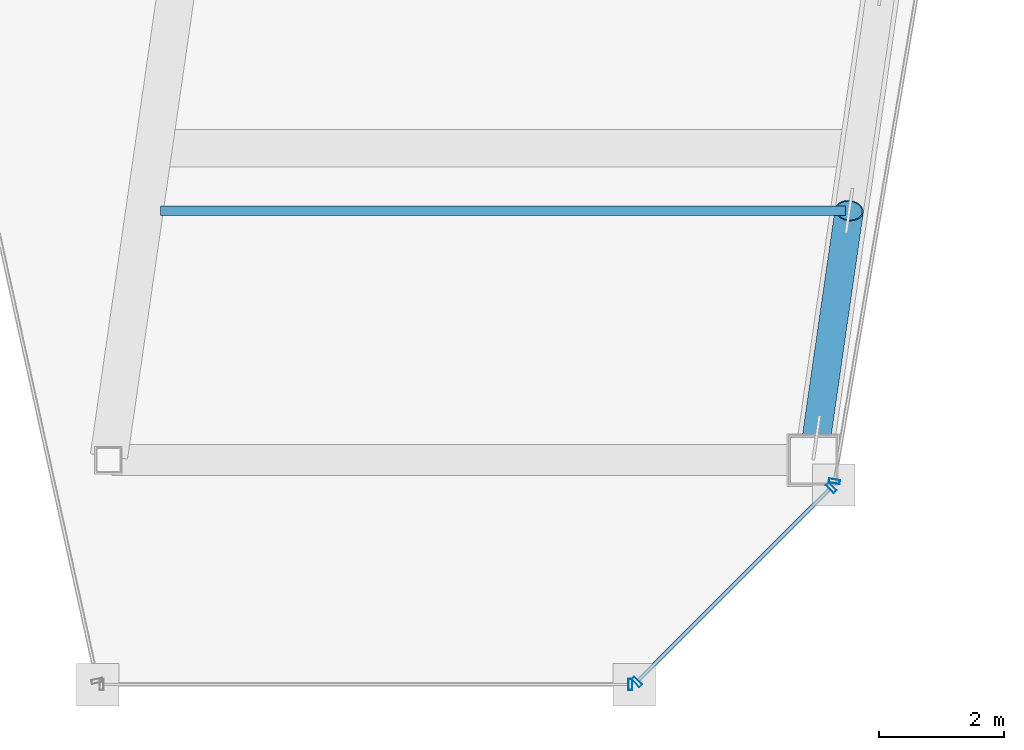
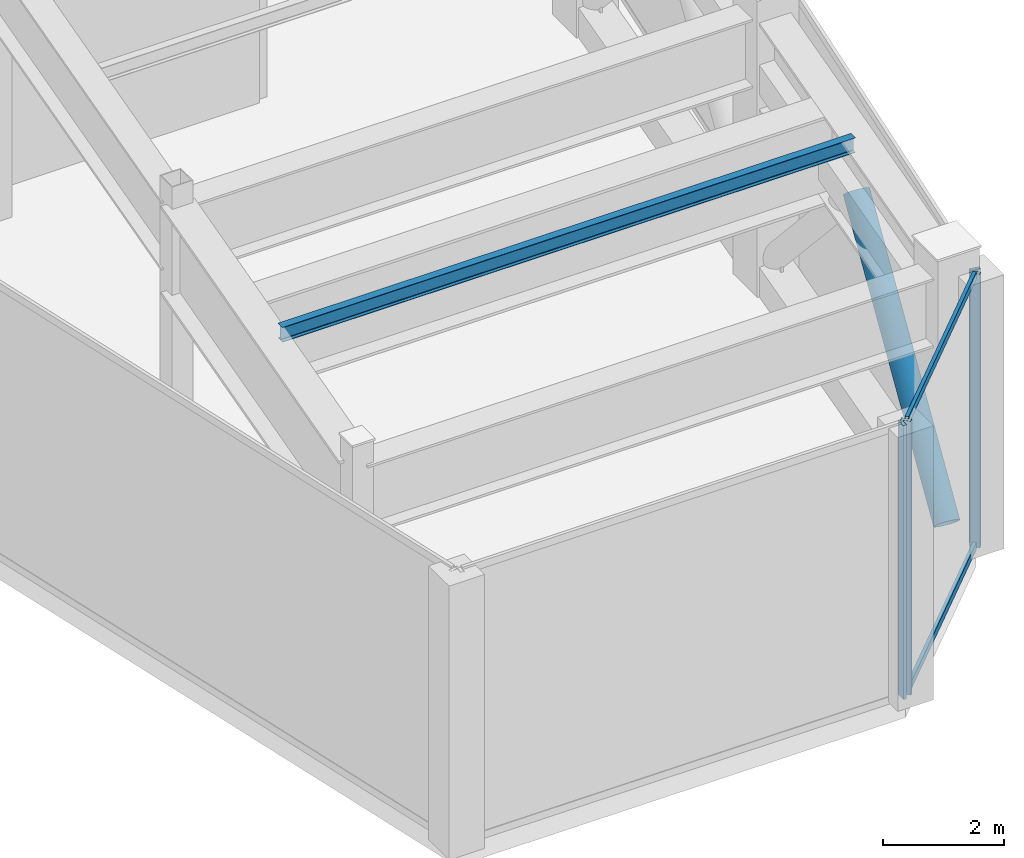
# One storey, part 16 of 34: 7 members, 1 beam, 3 elements without a shape of their own.
"""IFC4 building model written with IfcOpenShell, lengths in metres."""

from ifc_helpers import new_model, si_unit, direction, frame, origin, origin_2d, place, context, subcontext, project, spatial, hollow_rectangle, hollow_circle, i_section, extrude, material, material_profile, profile_set, type_object, element, aggregate, save


model = new_model("IFC4")

# Units and contexts
model_context = context("Model", 3, precision=1e-05, world=origin(), true_north=direction((0.0, 1.0)))
body_context = subcontext(model_context, "Body", "Model", "MODEL_VIEW")
ifc_project = project(units=[si_unit("LENGTHUNIT", "METRE"), si_unit("AREAUNIT", "SQUARE_METRE"), si_unit("VOLUMEUNIT", "CUBIC_METRE"), si_unit("PLANEANGLEUNIT", "RADIAN"), si_unit("MASSUNIT", "GRAM", prefix="KILO")], contexts=[model_context])

# Site, building, storey
site_placement = place(None, origin())
site = spatial("IfcSite", under=ifc_project, at=site_placement, CompositionType="ELEMENT")
building_placement = place(site_placement, origin())
building = spatial("IfcBuilding", under=site, at=building_placement, Name="Saevonmaru Cultural Tower", CompositionType="ELEMENT")
storey_placement = place(building_placement, frame((0.0, 0.0, 224.60009765625)))
storey = spatial("IfcBuildingStorey", under=building, at=storey_placement, Name="L52", CompositionType="ELEMENT", Elevation=224.60009765625)

# Beam
ifc_material_1 = material(Name="Steel SM355", Category="steel")
ifc_material_profile_1 = material_profile(ifc_material_1, i_section(OverallWidth=0.14990234375, OverallDepth=0.300048828125, WebThickness=0.006591796875, FlangeThickness=0.009033203125, FilletRadius=0.012939453125, at=origin_2d()), Name="H-300x150x6.5x9")
ifc_profile_set_1 = profile_set([ifc_material_profile_1], Name="Steel SM355")
beam_type = type_object("IfcBeamType", Name="BM-J-H300", PredefinedType="JOIST", material=ifc_profile_set_1)
beam_placement = place(storey_placement, frame((38.907958984375, 20.0, 5.39990234375), z_axis=(1.0, 0.0, 0.0), x_axis=(0.0, 1.0, 0.0)))
element("IfcBeam", 1, at=beam_placement, inside=storey, type_object=beam_type, Name="L52 East Wing Floor Joist 1", PredefinedType="JOIST", context=body_context, shape_type="SweptSolid", body=[
    extrude(i_section(OverallWidth=0.14990234375, OverallDepth=0.300048828125, WebThickness=0.006591796875, FlangeThickness=0.009033203125, FilletRadius=0.012939453125, at=origin_2d()), origin(), (0.0, 0.0, 1.0), 10.98193359375),
])

# Member
ifc_material_2 = material(Name="Steel SM420", Category="steel")
ifc_material_profile_2 = material_profile(ifc_material_2, hollow_circle(Radius=0.228515625, WallThickness=0.02001953125, at=origin_2d()), Name="CHS-457.2x20")
ifc_profile_set_2 = profile_set([ifc_material_profile_2], Name="Steel SM420")
member_type_1 = type_object("IfcMemberType", Name="MB-BBR-CHS457", PredefinedType="BRACE", material=ifc_profile_set_2)
member_1_placement = place(storey_placement, frame((49.3720703125, 16.0, 0.2998046875), z_axis=(0.100376247374, 0.69478852428, 0.712175199998), x_axis=(-0.989724747682, 0.142985746934, 0.0)))
element("IfcMember", 2, at=member_1_placement, inside=storey, type_object=member_type_1, Name="L52 Belt Truss Diagonal BE1-1", PredefinedType="BRACE", context=body_context, shape_type="SweptSolid", body=[
    extrude(hollow_circle(Radius=0.228515625, WallThickness=0.02001953125, at=origin_2d()), origin(), (0.0, 0.0, 1.0), 5.757080078125),
])

# Curtain wall, member
ifc_material_3 = material(Name="Satin Bronze Anodised Aluminium", Category="aluminium")
curtain_wall_type = type_object("IfcCurtainWallType", Name="CW-TYP-B", PredefinedType="NOTDEFINED", material=ifc_material_3)
curtain_wall_1_placement = place(storey_placement, origin())
curtain_wall_1 = element("IfcCurtainWall", 3, at=curtain_wall_1_placement, inside=storey, type_object=curtain_wall_type, Name="L52 Wind-Floor Acoustic Louvre Screen E6", PredefinedType="NOTDEFINED")
ifc_material_profile_3 = material_profile(ifc_material_3, hollow_rectangle(XDim=0.06494140625, YDim=0.179931640625, WallThickness=0.00390625, at=origin_2d()), Name="ALU-MULL-180x65x4")
ifc_profile_set_3 = profile_set([ifc_material_profile_3], Name="Satin Bronze Anodised Aluminium")
member_type_2 = type_object("IfcMemberType", Name="ML-CW-180x65", PredefinedType="MULLION", material=ifc_profile_set_3)
member_2_placement = place(storey_placement, frame((46.442138671875, 12.39990234375, 0.0), z_axis=(0.0, 0.0, 1.0), x_axis=(1.0, 0.0, 0.0)))
member_2 = element("IfcMember", 4, at=member_2_placement, type_object=member_type_2, Name="CW-TW-L52-E6 mullion 2", PredefinedType="MULLION", context=body_context, shape_type="SweptSolid", body=[
    extrude(hollow_rectangle(XDim=0.06494140625, YDim=0.179931640625, WallThickness=0.00390625, at=origin_2d()), origin(), (0.0, 0.0, 1.0), 5.5498046875),
])
aggregate(curtain_wall_1, [member_2])

# Curtain wall, members
curtain_wall_2_placement = place(storey_placement, origin())
curtain_wall_2 = element("IfcCurtainWall", 5, at=curtain_wall_2_placement, inside=storey, type_object=curtain_wall_type, Name="L52 Wind-Floor Acoustic Louvre Screen E7", PredefinedType="NOTDEFINED")
member_3_placement = place(storey_placement, frame((46.544677734375, 12.4423828125, 0.0), z_axis=(0.0, 0.0, 1.0), x_axis=(0.707106781187, 0.707106781187, 0.0)))
member_3 = element("IfcMember", 6, at=member_3_placement, type_object=member_type_2, Name="CW-TW-L52-E7 mullion 1", PredefinedType="MULLION", context=body_context, shape_type="SweptSolid", body=[
    extrude(hollow_rectangle(XDim=0.06494140625, YDim=0.179931640625, WallThickness=0.00390625, at=origin_2d()), origin(), (0.0, 0.0, 1.0), 5.5498046875),
])
member_4_placement = place(storey_placement, frame((49.659912109375, 15.5576171875, 0.0), z_axis=(0.0, 0.0, 1.0), x_axis=(0.707106781187, 0.707106781187, 0.0)))
member_4 = element("IfcMember", 7, at=member_4_placement, type_object=member_type_2, Name="CW-TW-L52-E7 mullion 2", PredefinedType="MULLION", context=body_context, shape_type="SweptSolid", body=[
    extrude(hollow_rectangle(XDim=0.06494140625, YDim=0.179931640625, WallThickness=0.00390625, at=origin_2d()), origin(), (0.0, 0.0, 1.0), 5.5498046875),
])

# Curtain wall, member
curtain_wall_3_placement = place(storey_placement, origin())
curtain_wall_3 = element("IfcCurtainWall", 8, at=curtain_wall_3_placement, inside=storey, type_object=curtain_wall_type, Name="L52 Wind-Floor Acoustic Louvre Screen E8", PredefinedType="NOTDEFINED")
member_5_placement = place(storey_placement, frame((49.712158203125, 15.6591796875, 0.0), z_axis=(0.0, 0.0, 1.0), x_axis=(0.16692169721, 0.985970155228, 0.0)))
member_5 = element("IfcMember", 9, at=member_5_placement, type_object=member_type_2, Name="CW-TW-L52-E8 mullion 1", PredefinedType="MULLION", context=body_context, shape_type="SweptSolid", body=[
    extrude(hollow_rectangle(XDim=0.06494140625, YDim=0.179931640625, WallThickness=0.00390625, at=origin_2d()), origin(), (0.0, 0.0, 1.0), 5.5498046875),
])
aggregate(curtain_wall_3, [member_5])

# Member
ifc_material_profile_4 = material_profile(ifc_material_3, hollow_rectangle(XDim=0.06494140625, YDim=0.14990234375, WallThickness=0.00390625, at=origin_2d()), Name="ALU-TRAN-150x65x4")
ifc_profile_set_4 = profile_set([ifc_material_profile_4], Name="Satin Bronze Anodised Aluminium")
member_type_3 = type_object("IfcMemberType", Name="TR-CW-150x65", PredefinedType="USERDEFINED", material=ifc_profile_set_4)
member_6_placement = place(storey_placement, frame((46.567626953125, 12.46533203125, 0.032470703125), z_axis=(0.707078657222, 0.707134904033, 0.0), x_axis=(-0.707134904033, 0.707078657222, 0.0)))
member_6 = element("IfcMember", 10, at=member_6_placement, type_object=member_type_3, Name="CW-TW-L52-E7 transom 1.1", ObjectType="TRANSOM", PredefinedType="USERDEFINED", context=body_context, shape_type="SweptSolid", body=[
    extrude(hollow_rectangle(XDim=0.06494140625, YDim=0.14990234375, WallThickness=0.00390625, at=origin_2d()), origin(), (0.0, 0.0, 1.0), 4.340576171875),
])

member_7_placement = place(storey_placement, frame((46.567626953125, 12.46533203125, 5.517333984375), z_axis=(0.707078657222, 0.707134904033, 0.0), x_axis=(-0.707134904033, 0.707078657222, 0.0)))
member_7 = element("IfcMember", 11, at=member_7_placement, type_object=member_type_3, Name="CW-TW-L52-E7 transom 1.2", ObjectType="TRANSOM", PredefinedType="USERDEFINED", context=body_context, shape_type="SweptSolid", body=[
    extrude(hollow_rectangle(XDim=0.06494140625, YDim=0.14990234375, WallThickness=0.00390625, at=origin_2d()), origin(), (0.0, 0.0, 1.0), 4.340576171875),
])

aggregate(curtain_wall_2, [member_3, member_4, member_6, member_7])

save(model, "model.ifc")
